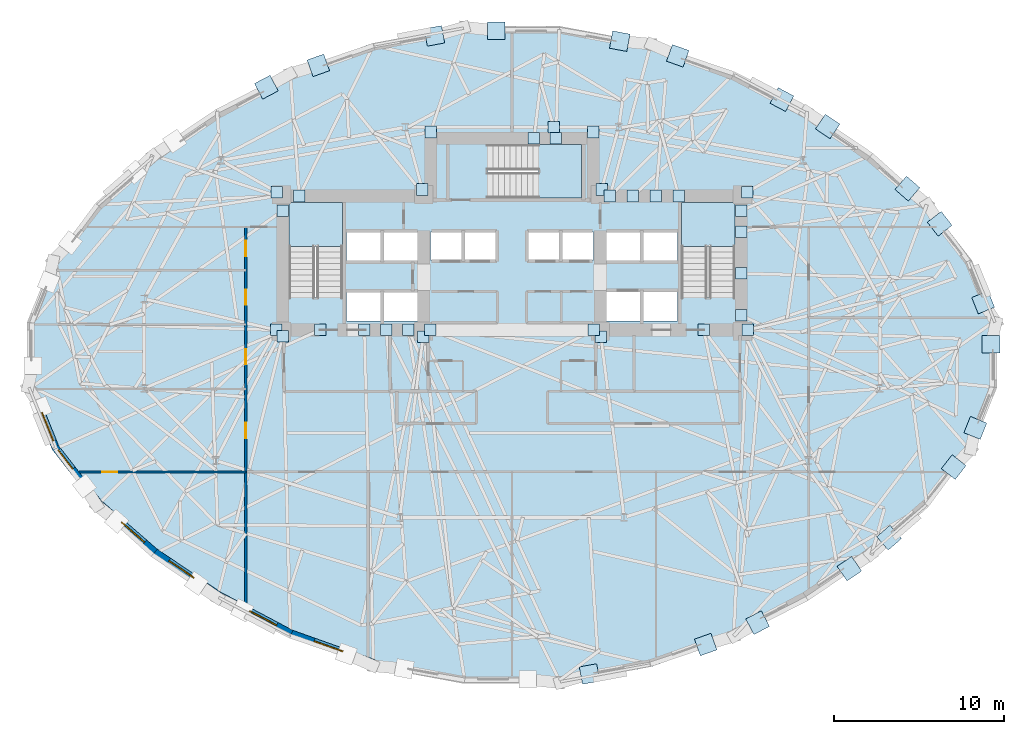
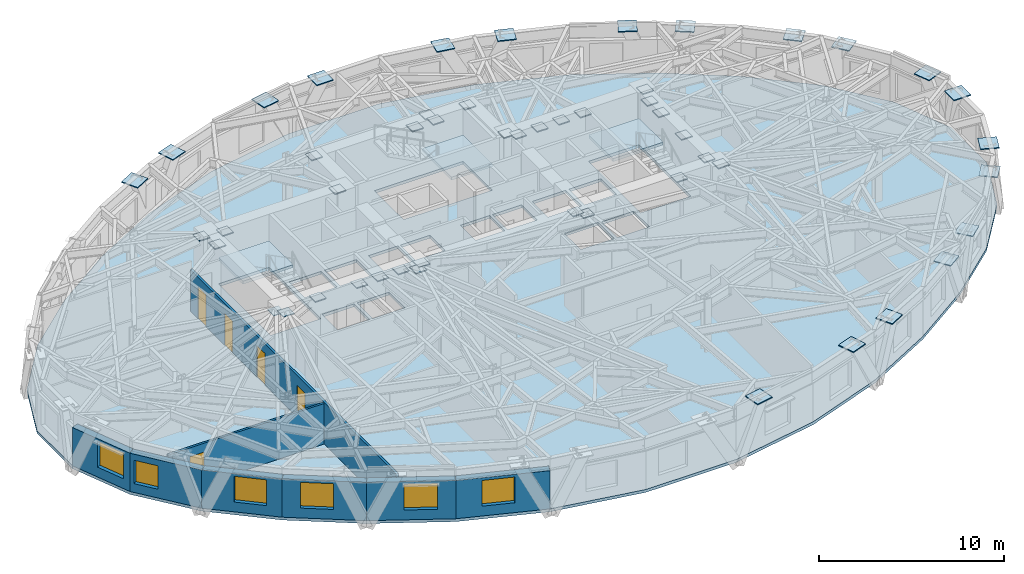
# One storey, part 6 of 15: 50 plates, 8 walls, 6 windows, 5 doors, 4 slabs, 11 openings, 3 elements without a shape of their own.
"""IFC4 building model written with IfcOpenShell, lengths in metres."""

from ifc_helpers import new_model, si_unit, direction, frame, frame_2d, origin, origin_2d, place, context, subcontext, project, spatial, polyline, rectangle, outline, extrude, material, layer, layer_set, type_object, element, fill, aggregate, save


model = new_model("IFC4")

# Units and contexts
model_context = context("Model", 3, precision=1e-05, world=origin(), true_north=direction((0.0, 1.0)))
body_context = subcontext(model_context, "Body", "Model", "MODEL_VIEW")
ifc_project = project(units=[si_unit("LENGTHUNIT", "METRE"), si_unit("AREAUNIT", "SQUARE_METRE"), si_unit("VOLUMEUNIT", "CUBIC_METRE"), si_unit("PLANEANGLEUNIT", "RADIAN"), si_unit("MASSUNIT", "GRAM", prefix="KILO")], contexts=[model_context])

# Site, building, storey
site_placement = place(None, origin())
site = spatial("IfcSite", under=ifc_project, at=site_placement, CompositionType="ELEMENT")
building_placement = place(site_placement, origin())
building = spatial("IfcBuilding", under=site, at=building_placement, Name="Keldmark Tower", CompositionType="ELEMENT")
storey_placement = place(building_placement, frame((0.0, 0.0, 93.10009765625)))
storey = spatial("IfcBuildingStorey", under=building, at=storey_placement, Name="L24", CompositionType="ELEMENT", Elevation=93.10009765625)

# Plates
ifc_material_1 = material(Name="Steel ASTM A572 Grade 50", Category="steel")
ifc_layer_1 = layer(ifc_material_1, 0.06005859375)
ifc_layer_set_1 = layer_set([ifc_layer_1], Name="Steel ASTM A572 Grade 50")
plate_type_1 = type_object("IfcPlateType", Name="Belt Truss Kink Node Assembly KN01 60 mm", PredefinedType="USERDEFINED", material=ifc_layer_set_1)
for number, where, z_axis, x_axis, name in (
    (1, (13.91162109375, 1.473388671875, 3.0078125), (0.0, 0.0, 1.0), (1.0, 0.0, 0.0), "L24 Core Wall Cast-In Embed Plate 653"),
    (2, (13.878173828125, 9.608154296875, 3.0078125), (0.0, 0.0, 1.0), (1.0, 0.0, 0.0), "L24 Core Wall Cast-In Embed Plate 654"),
    (3, (5.28515625, 9.758544921875, 3.0078125), (0.0, 0.0, 1.0), (1.0, 0.0, 0.0), "L24 Core Wall Cast-In Embed Plate 655"),
    (4, (-5.28515625, 9.758544921875, 3.0078125), (0.0, 0.0, 1.0), (1.0, 0.0, 0.0), "L24 Core Wall Cast-In Embed Plate 656"),
    (5, (-13.878173828125, 9.608154296875, 3.0078125), (0.0, 0.0, 1.0), (1.0, 0.0, 0.0), "L24 Core Wall Cast-In Embed Plate 657"),
    (6, (-13.91162109375, 1.473388671875, 3.0078125), (0.0, 0.0, 1.0), (1.0, 0.0, 0.0), "L24 Core Wall Cast-In Embed Plate 658"),
    (7, (-5.24072265625, 1.08251953125, 3.0078125), (0.0, 0.0, 1.0), (1.0, 0.0, 0.0), "L24 Core Wall Cast-In Embed Plate 659"),
    (8, (5.24072265625, 1.08251953125, 3.0078125), (0.0, 0.0, 1.0), (1.0, 0.0, 0.0), "L24 Core Wall Cast-In Embed Plate 660"),
    (9, (4.800048828125, 13.14990234375, 3.01416015625), (0.0, 0.0, 1.0), (1.0, 0.0, 0.0), "L24 Core Wall Cast-In Embed Plate 661"),
    (10, (-4.800048828125, 13.14990234375, 3.01416015625), (0.0, 0.0, 1.0), (1.0, 0.0, 0.0), "L24 Core Wall Cast-In Embed Plate 662"),
    (11, (-7.41796875, 1.47509765625, 3.01416015625), (0.0, 0.0, 1.0), (1.0, 0.0, 0.0), "L24 Core Wall Cast-In Embed Plate 663"),
    (12, (11.30712890625, 1.47509765625, 3.01416015625), (0.0, 0.0, 1.0), (1.0, 0.0, 0.0), "L24 Core Wall Cast-In Embed Plate 664"),
    (13, (13.52490234375, 4.80712890625, 3.01416015625), (0.0, 0.0, 1.0), (1.0, 0.0, 0.0), "L24 Core Wall Cast-In Embed Plate 665"),
    (14, (13.52490234375, 7.278564453125, 3.01416015625), (0.0, 0.0, 1.0), (1.0, 0.0, 0.0), "L24 Core Wall Cast-In Embed Plate 666"),
    (15, (13.52490234375, 8.514404296875, 3.01416015625), (0.0, 0.0, 1.0), (1.0, 0.0, 0.0), "L24 Core Wall Cast-In Embed Plate 667"),
    (16, (7.132080078125, 9.375, 3.01416015625), (0.0, 0.0, 1.0), (1.0, 0.0, 0.0), "L24 Core Wall Cast-In Embed Plate 668"),
    (17, (-12.54638671875, 9.375, 3.01416015625), (0.0, 0.0, 1.0), (1.0, 0.0, 0.0), "L24 Core Wall Cast-In Embed Plate 669"),
    (18, (-13.52490234375, 8.514404296875, 3.01416015625), (0.0, 0.0, 1.0), (1.0, 0.0, 0.0), "L24 Core Wall Cast-In Embed Plate 670"),
    (19, (-11.30712890625, 1.47509765625, 3.01416015625), (0.0, 0.0, 1.0), (1.0, 0.0, 0.0), "L24 Core Wall Cast-In Embed Plate 671"),
    (20, (4.824951171875, 1.47509765625, 3.01416015625), (0.0, 0.0, 1.0), (1.0, 0.0, 0.0), "L24 Core Wall Cast-In Embed Plate 672"),
    (21, (-13.52490234375, 1.10009765625, 3.01416015625), (0.0, 0.0, 1.0), (1.0, 0.0, 0.0), "L24 Core Wall Cast-In Embed Plate 673"),
    (22, (-8.71435546875, 1.47509765625, 3.01416015625), (0.0, 0.0, 1.0), (1.0, 0.0, 0.0), "L24 Core Wall Cast-In Embed Plate 674"),
    (23, (-6.121337890625, 1.47509765625, 3.01416015625), (0.0, 0.0, 1.0), (1.0, 0.0, 0.0), "L24 Core Wall Cast-In Embed Plate 675"),
    (24, (-4.824951171875, 1.47509765625, 3.01416015625), (0.0, 0.0, 1.0), (1.0, 0.0, 0.0), "L24 Core Wall Cast-In Embed Plate 676"),
    (25, (13.52490234375, 2.335693359375, 3.01416015625), (0.0, 0.0, 1.0), (1.0, 0.0, 0.0), "L24 Core Wall Cast-In Embed Plate 677"),
    (26, (5.778564453125, 9.375, 3.01416015625), (0.0, 0.0, 1.0), (1.0, 0.0, 0.0), "L24 Core Wall Cast-In Embed Plate 678"),
    (27, (9.83935546875, 9.375, 3.01416015625), (0.0, 0.0, 1.0), (1.0, 0.0, 0.0), "L24 Core Wall Cast-In Embed Plate 679"),
    (28, (8.485595703125, 9.375, 3.01416015625), (0.0, 0.0, 1.0), (1.0, 0.0, 0.0), "L24 Core Wall Cast-In Embed Plate 680"),
    (29, (2.46337890625, 13.4326171875, 3.01416015625), (0.0, 0.0, 1.0), (1.0, 0.0, 0.0), "L24 Core Wall Cast-In Embed Plate 681"),
    (30, (1.293701171875, 12.77490234375, 3.01416015625), (0.0, 0.0, 1.0), (1.0, 0.0, 0.0), "L24 Core Wall Cast-In Embed Plate 682"),
    (31, (2.58740234375, 12.77490234375, 3.01416015625), (0.0, 0.0, 1.0), (1.0, 0.0, 0.0), "L24 Core Wall Cast-In Embed Plate 683"),
):
    element("IfcPlate", number, at=place(storey_placement, frame(where, z_axis=z_axis, x_axis=x_axis)), inside=storey, type_object=plate_type_1, Name=name, ObjectType="CAP PLATE", PredefinedType="USERDEFINED", context=body_context, shape_type="SweptSolid", body=[
        extrude(rectangle(XDim=0.679931640625, YDim=0.679931640625, at=origin_2d()), origin(), (0.0, 0.0, 1.0), 0.054931640625),
    ])
ifc_material_2 = material(Name="Steel ASTM A572 Grade 50", Category="steel")
ifc_layer_2 = layer(ifc_material_2, 0.06494140625)
ifc_layer_set_2 = layer_set([ifc_layer_2], Name="Steel ASTM A572 Grade 50")
plate_type_2 = type_object("IfcPlateType", Name="Diagrid Node Assembly DN02 65 mm", PredefinedType="USERDEFINED", material=ifc_layer_set_2)
for number, where, z_axis, x_axis, name in (
    (32, (27.790771484375, 3.099853515625, 3.157470703125), (0.0, 0.0, 1.0), (-0.374930218808, 0.927053035713, 0.0), "L24 Diagrid Node Assembly 01"),
    (33, (25.227294921875, 7.7373046875, 3.157470703125), (0.0, 0.0, 1.0), (-0.613734165832, 0.789512744476, 0.0), "L24 Diagrid Node Assembly 02"),
    (34, (23.323486328125, 9.8125, 3.157470703125), (0.0, 0.0, 1.0), (-0.754938542041, 0.655795545685, 0.0), "L24 Diagrid Node Assembly 03"),
    (35, (18.62060546875, 13.474609375, 3.157470703125), (0.0, 0.0, 1.0), (-0.827766671236, 0.56107248907, 0.0), "L24 Diagrid Node Assembly 04"),
    (36, (15.92041015625, 15.0625, 3.157470703125), (0.0, 0.0, 1.0), (-0.883928914562, 0.467621293358, 0.0), "L24 Diagrid Node Assembly 05"),
    (37, (9.775634765625, 17.64306640625, 3.157470703125), (0.0, 0.0, 1.0), (-0.941705652248, 0.336437905896, 0.0), "L24 Diagrid Node Assembly 06"),
    (38, (6.357421875, 18.508056640625, 3.157470703125), (0.0, 0.0, 1.0), (-0.983159354488, 0.182750331554, 0.0), "L24 Diagrid Node Assembly 07"),
    (39, (-0.935302734375, 19.13232421875, 3.157470703125), (0.0, 0.0, 1.0), (-1.0, 0.0, 0.0), "L24 Diagrid Node Assembly 08"),
    (40, (-4.57568359375, 18.819091796875, 3.157470703125), (0.0, 0.0, 1.0), (-0.983159354488, -0.182750331554, 0.0), "L24 Diagrid Node Assembly 09"),
    (41, (-11.422607421875, 17.08203125, 3.157470703125), (0.0, 0.0, 1.0), (-0.941705652248, -0.336437905896, 0.0), "L24 Diagrid Node Assembly 10"),
    (42, (-14.489013671875, 15.793212890625, 3.157470703125), (0.0, 0.0, 1.0), (-0.883928914562, -0.467621293358, 0.0), "L24 Diagrid Node Assembly 11"),
    (43, (4.57568359375, -18.819091796875, 3.157470703125), (0.0, 0.0, 1.0), (0.983159354488, 0.182750331554, 0.0), "L24 Diagrid Node Assembly 25"),
    (44, (11.422607421875, -17.08203125, 3.157470703125), (0.0, 0.0, 1.0), (0.941705652248, 0.336437905896, 0.0), "L24 Diagrid Node Assembly 26"),
    (45, (14.489013671875, -15.793212890625, 3.157470703125), (0.0, 0.0, 1.0), (0.883928914562, 0.467621293358, 0.0), "L24 Diagrid Node Assembly 27"),
    (46, (19.896240234375, -12.607421875, 3.157470703125), (0.0, 0.0, 1.0), (0.827766671236, 0.56107248907, 0.0), "L24 Diagrid Node Assembly 28"),
    (47, (22.24267578125, -10.779541015625, 3.157470703125), (0.0, 0.0, 1.0), (0.754938542041, 0.655795545685, 0.0), "L24 Diagrid Node Assembly 29"),
    (48, (26.052490234375, -6.617431640625, 3.157470703125), (0.0, 0.0, 1.0), (0.613734165832, 0.789512744476, 0.0), "L24 Diagrid Node Assembly 30"),
    (49, (27.330810546875, -4.3037109375, 3.157470703125), (0.0, 0.0, 1.0), (0.374930218808, 0.927053035713, 0.0), "L24 Diagrid Node Assembly 31"),
    (50, (28.2529296875, 0.635986328125, 3.157470703125), (0.0, 0.0, 1.0), (0.0, 1.0, 0.0), "L24 Diagrid Node Assembly 32"),
):
    element("IfcPlate", number, at=place(storey_placement, frame(where, z_axis=z_axis, x_axis=x_axis)), inside=storey, type_object=plate_type_2, Name=name, ObjectType="GUSSET", PredefinedType="USERDEFINED", context=body_context, shape_type="SweptSolid", body=[
        extrude(rectangle(XDim=1.0400390625, YDim=1.0400390625, at=origin_2d()), origin(), (0.0, 0.0, 1.0), 0.06494140625),
    ])

# Slab
ifc_material_3 = material(Name="Concrete C35/45", Category="concrete")
ifc_layer_3 = layer(ifc_material_3, 0.18994140625)
ifc_layer_set_3 = layer_set([ifc_layer_3], Name="Concrete C35/45")
slab_type_1 = type_object("IfcSlabType", Name="Mid-Rise Office Composite Slab 190 mm", PredefinedType="FLOOR", material=ifc_layer_set_3)
slab_1_placement = place(storey_placement, frame((0.0, 0.0, -0.190185546875)))
element("IfcSlab", 51, at=slab_1_placement, inside=storey, type_object=slab_type_1, Name="L24 Composite Structural Floor Slab", PredefinedType="FLOOR", context=body_context, shape_type="SweptSolid", body=[
    extrude(outline(polyline([(28.611083984375, 1.91015625), (27.127685546875, 5.578125), (24.54931640625, 8.894775390625), (21.20751953125, 11.797607421875), (17.404541015625, 14.37548828125), (13.121826171875, 16.640625), (8.22900390625, 18.388427734375), (2.81787109375, 19.393798828125), (-2.81787109375, 19.393798828125), (-8.22900390625, 18.388427734375), (-13.121826171875, 16.640625), (-17.404541015625, 14.37548828125), (-21.20751953125, 11.797607421875), (-24.54931640625, 8.894775390625), (-27.127685546875, 5.578125), (-28.611083984375, 1.91015625), (-28.611083984375, -1.91015625), (-27.127685546875, -5.578125), (-24.54931640625, -8.894775390625), (-21.20751953125, -11.797607421875), (-17.404541015625, -14.37548828125), (-13.121826171875, -16.640625), (-8.22900390625, -18.388427734375), (-2.81787109375, -19.393798828125), (2.81787109375, -19.393798828125), (8.22900390625, -18.388427734375), (13.121826171875, -16.640625), (17.404541015625, -14.37548828125), (21.20751953125, -11.797607421875), (24.54931640625, -8.894775390625), (27.127685546875, -5.578125), (28.611083984375, -1.91015625), (28.611083984375, 1.91015625)]), holes=[polyline([(-10.0, 3.385009765625), (-10.0, 9.0), (-13.14990234375, 9.0), (-13.14990234375, 3.385009765625), (-10.0, 3.385009765625)]), polyline([(13.14990234375, 3.385009765625), (13.14990234375, 9.0), (10.0, 9.0), (10.0, 3.385009765625), (13.14990234375, 3.385009765625)]), polyline([(-1.43994140625, 9.25), (4.10498046875, 9.25), (4.10498046875, 12.39990234375), (-1.43994140625, 12.39990234375), (-1.43994140625, 9.25)]), polyline([(-9.75, 2.0), (-7.75, 2.0), (-7.75, 3.699951171875), (-9.75, 3.699951171875), (-9.75, 2.0)]), polyline([(7.75, 2.0), (9.75, 2.0), (9.75, 3.699951171875), (7.75, 3.699951171875), (7.75, 2.0)]), polyline([(5.449951171875, 2.0), (7.550048828125, 2.0), (7.550048828125, 3.75), (5.449951171875, 3.75), (5.449951171875, 2.0)]), polyline([(-4.800048828125, 5.60009765625), (-2.949951171875, 5.60009765625), (-2.949951171875, 7.25), (-4.800048828125, 7.25), (-4.800048828125, 5.60009765625)]), polyline([(-2.800048828125, 5.60009765625), (-0.949951171875, 5.60009765625), (-0.949951171875, 7.25), (-2.800048828125, 7.25), (-2.800048828125, 5.60009765625)]), polyline([(0.949951171875, 5.60009765625), (2.800048828125, 5.60009765625), (2.800048828125, 7.25), (0.949951171875, 7.25), (0.949951171875, 5.60009765625)]), polyline([(2.949951171875, 5.60009765625), (4.800048828125, 5.60009765625), (4.800048828125, 7.25), (2.949951171875, 7.25), (2.949951171875, 5.60009765625)]), polyline([(-9.75, 5.550048828125), (-7.75, 5.550048828125), (-7.75, 7.25), (-9.75, 7.25), (-9.75, 5.550048828125)]), polyline([(-7.550048828125, 5.550048828125), (-5.550048828125, 5.550048828125), (-5.550048828125, 7.25), (-7.550048828125, 7.25), (-7.550048828125, 5.550048828125)]), polyline([(-7.550048828125, 2.0), (-5.550048828125, 2.0), (-5.550048828125, 3.699951171875), (-7.550048828125, 3.699951171875), (-7.550048828125, 2.0)]), polyline([(5.449951171875, 5.550048828125), (7.550048828125, 5.550048828125), (7.550048828125, 7.25), (5.449951171875, 7.25), (5.449951171875, 5.550048828125)]), polyline([(7.75, 5.550048828125), (9.75, 5.550048828125), (9.75, 7.25), (7.75, 7.25), (7.75, 5.550048828125)])]), origin(), (0.0, 0.0, 1.0), 0.190185546875),
])

# Stair, slab
ifc_material_4 = material(Name="Concrete C40/50", Category="concrete")
stair_type = type_object("IfcStairType", Name="Precast Concrete Core Exit Stair", PredefinedType="HALF_TURN_STAIR", material=ifc_material_4)
stair_1_placement = place(storey_placement, origin())
stair_1 = element("IfcStair", 52, at=stair_1_placement, inside=storey, type_object=stair_type, Name="L24 Exit Stair ST1", PredefinedType="HALF_TURN_STAIR")
ifc_material_5 = material(Name="Concrete C40/50", Category="concrete")
ifc_layer_4 = layer(ifc_material_5, 0.199951171875)
ifc_layer_set_4 = layer_set([ifc_layer_4], Name="Concrete C40/50")
slab_type_2 = type_object("IfcSlabType", Name="Reinforced Concrete Stair Landing 200 mm", PredefinedType="LANDING", material=ifc_layer_set_4)
slab_2_placement = place(storey_placement, frame((0.0, 0.0, 1.5498046875)))
slab_2 = element("IfcSlab", 53, at=slab_2_placement, type_object=slab_type_2, Name="ST1 landing 1", PredefinedType="LANDING", context=body_context, shape_type="SweptSolid", body=[
    extrude(outline(polyline([(-10.0, 6.389892578125), (-10.0, 9.0), (-13.14990234375, 9.0), (-13.14990234375, 6.389892578125), (-10.0, 6.389892578125)])), origin(), (0.0, 0.0, 1.0), 0.2001953125),
])
aggregate(stair_1, [slab_2])

stair_2_placement = place(storey_placement, origin())
stair_2 = element("IfcStair", 54, at=stair_2_placement, inside=storey, type_object=stair_type, Name="L24 Exit Stair ST2", PredefinedType="HALF_TURN_STAIR")
slab_3_placement = place(storey_placement, frame((0.0, 0.0, 1.5498046875)))
slab_3 = element("IfcSlab", 55, at=slab_3_placement, type_object=slab_type_2, Name="ST2 landing 1", PredefinedType="LANDING", context=body_context, shape_type="SweptSolid", body=[
    extrude(outline(polyline([(13.14990234375, 6.389892578125), (13.14990234375, 9.0), (10.0, 9.0), (10.0, 6.389892578125), (13.14990234375, 6.389892578125)])), origin(), (0.0, 0.0, 1.0), 0.2001953125),
])
aggregate(stair_2, [slab_3])

stair_3_placement = place(storey_placement, origin())
stair_3 = element("IfcStair", 56, at=stair_3_placement, inside=storey, type_object=stair_type, Name="L24 Exit Stair ST3", PredefinedType="HALF_TURN_STAIR")
slab_4_placement = place(storey_placement, frame((0.0, 0.0, 1.5498046875)))
slab_4 = element("IfcSlab", 57, at=slab_4_placement, type_object=slab_type_2, Name="ST3 landing 1", PredefinedType="LANDING", context=body_context, shape_type="SweptSolid", body=[
    extrude(outline(polyline([(1.56494140625, 9.25), (4.10498046875, 9.25), (4.10498046875, 12.39990234375), (1.56494140625, 12.39990234375), (1.56494140625, 9.25)])), origin(), (0.0, 0.0, 1.0), 0.2001953125),
])
aggregate(stair_3, [slab_4])

# Wall, openings, doors
ifc_material_6 = material(Name="Acoustic Double-Layer Gypsum Corridor Partition", Category="gypsum")
ifc_layer_5 = layer(ifc_material_6, 0.139892578125)
ifc_layer_set_5 = layer_set([ifc_layer_5], Name="Acoustic Double-Layer Gypsum Corridor Partition")
wall_type_1 = type_object("IfcWallType", Name="Acoustic Corridor Partition 140 mm", PredefinedType="PARTITIONING", material=ifc_layer_set_5)
wall_1_placement = place(storey_placement, frame((-15.699951171875, -14.770263671875, 0.0), z_axis=(0.0, 0.0, 1.0), x_axis=(0.0, 1.0, 0.0)))
wall_1 = element("IfcWall", 58, at=wall_1_placement, inside=storey, type_object=wall_type_1, Name="L24 Acoustic Corridor Partition 140 mm COR-W", PredefinedType="PARTITIONING", context=body_context, shape_type="SweptSolid", body=[
    extrude(rectangle(XDim=22.3203125, YDim=0.139892578125, at=frame_2d((11.16015625, 0.0))), origin(), (0.0, 0.0, 1.0), 2.7509765625),
])
opening_1_placement = place(wall_1_placement, frame((9.8701171875, 0.0, 0.0)))
opening_1 = element("IfcOpeningElement", 59, at=opening_1_placement, cuts=wall_1, Name="Opening D-IN090", PredefinedType="OPENING", context=body_context, shape_type="SweptSolid", body=[
    extrude(rectangle(XDim=0.89990234375, YDim=2.10009765625, at=frame_2d((0.449951171875, 1.050048828125))), frame((0.0, 0.079833984375, 0.0), z_axis=(0.0, -1.0, 0.0), x_axis=(1.0, 0.0, 0.0)), (0.0, 0.0, 1.0), 0.159912109375),
])
opening_2_placement = place(wall_1_placement, frame((14.22021484375, 0.0, 0.0)))
opening_2 = element("IfcOpeningElement", 60, at=opening_2_placement, cuts=wall_1, Name="Opening D-IN090", PredefinedType="OPENING", context=body_context, shape_type="SweptSolid", body=[
    extrude(rectangle(XDim=0.89990234375, YDim=2.10009765625, at=frame_2d((0.449951171875, 1.050048828125))), frame((0.0, 0.079833984375, 0.0), z_axis=(0.0, -1.0, 0.0), x_axis=(1.0, 0.0, 0.0)), (0.0, 0.0, 1.0), 0.159912109375),
])
opening_3_placement = place(wall_1_placement, frame((17.72021484375, 0.0, 0.0)))
opening_3 = element("IfcOpeningElement", 61, at=opening_3_placement, cuts=wall_1, Name="Opening D-IN090", PredefinedType="OPENING", context=body_context, shape_type="SweptSolid", body=[
    extrude(rectangle(XDim=0.89990234375, YDim=2.10009765625, at=frame_2d((0.449951171875, 1.050048828125))), frame((0.0, 0.079833984375, 0.0), z_axis=(0.0, -1.0, 0.0), x_axis=(1.0, 0.0, 0.0)), (0.0, 0.0, 1.0), 0.159912109375),
])
opening_4_placement = place(wall_1_placement, frame((20.59521484375, 0.0, 0.0)))
opening_4 = element("IfcOpeningElement", 62, at=opening_4_placement, cuts=wall_1, Name="Opening D-IN090", PredefinedType="OPENING", context=body_context, shape_type="SweptSolid", body=[
    extrude(rectangle(XDim=0.89990234375, YDim=2.10009765625, at=frame_2d((0.449951171875, 1.050048828125))), frame((0.0, 0.079833984375, 0.0), z_axis=(0.0, -1.0, 0.0), x_axis=(1.0, 0.0, 0.0)), (0.0, 0.0, 1.0), 0.159912109375),
])
ifc_material_7 = material(Name="Stained American White Oak Veneer", Category="wood")
door_type = type_object("IfcDoorType", Name="Interior Door 900x2100", OperationType="NOTDEFINED", PredefinedType="DOOR", material=ifc_material_7)
door_1_placement = place(opening_1_placement, origin())
door_1 = element("IfcDoor", 63, at=door_1_placement, inside=storey, type_object=door_type, Name="L24 Interior Door 900x2100 D-WR-1-L24", OperationType="SINGLE_SWING_RIGHT", OverallHeight=2.10009765625, OverallWidth=0.89990234375, PredefinedType="DOOR", context=body_context, shape_type="SweptSolid", body=[
    extrude(rectangle(XDim=0.89990234375, YDim=2.10009765625, at=frame_2d((0.449951171875, 1.050048828125))), frame((0.0, 0.02490234375, 0.0), z_axis=(0.0, -1.0, 0.0), x_axis=(1.0, 0.0, 0.0)), (0.0, 0.0, 1.0), 0.050048828125),
])
fill(opening_1, door_1)
door_2_placement = place(opening_2_placement, origin())
door_2 = element("IfcDoor", 64, at=door_2_placement, inside=storey, type_object=door_type, Name="L24 Interior Door 900x2100 D-WR-2-L24", OperationType="SINGLE_SWING_RIGHT", OverallHeight=2.10009765625, OverallWidth=0.89990234375, PredefinedType="DOOR", context=body_context, shape_type="SweptSolid", body=[
    extrude(rectangle(XDim=0.89990234375, YDim=2.10009765625, at=frame_2d((0.449951171875, 1.050048828125))), frame((0.0, 0.02490234375, 0.0), z_axis=(0.0, -1.0, 0.0), x_axis=(1.0, 0.0, 0.0)), (0.0, 0.0, 1.0), 0.050048828125),
])
fill(opening_2, door_2)
door_3_placement = place(opening_3_placement, origin())
door_3 = element("IfcDoor", 65, at=door_3_placement, inside=storey, type_object=door_type, Name="L24 Interior Door 900x2100 D-WR-3-L24", OperationType="SINGLE_SWING_LEFT", OverallHeight=2.10009765625, OverallWidth=0.89990234375, PredefinedType="DOOR", context=body_context, shape_type="SweptSolid", body=[
    extrude(rectangle(XDim=0.89990234375, YDim=2.10009765625, at=frame_2d((0.449951171875, 1.050048828125))), frame((0.0, 0.02490234375, 0.0), z_axis=(0.0, -1.0, 0.0), x_axis=(1.0, 0.0, 0.0)), (0.0, 0.0, 1.0), 0.050048828125),
])
fill(opening_3, door_3)
door_4_placement = place(opening_4_placement, origin())
door_4 = element("IfcDoor", 66, at=door_4_placement, inside=storey, type_object=door_type, Name="L24 Interior Door 900x2100 D-WR-4-L24", OperationType="SINGLE_SWING_RIGHT", OverallHeight=2.10009765625, OverallWidth=0.89990234375, PredefinedType="DOOR", context=body_context, shape_type="SweptSolid", body=[
    extrude(rectangle(XDim=0.89990234375, YDim=2.10009765625, at=frame_2d((0.449951171875, 1.050048828125))), frame((0.0, 0.02490234375, 0.0), z_axis=(0.0, -1.0, 0.0), x_axis=(1.0, 0.0, 0.0)), (0.0, 0.0, 1.0), 0.050048828125),
])
fill(opening_4, door_4)

# Wall, opening, door
ifc_material_8 = material(Name="Acoustic Gypsum Board Interior Partition", Category="gypsum")
ifc_layer_6 = layer(ifc_material_8, 0.1298828125)
ifc_layer_set_6 = layer_set([ifc_layer_6], Name="Acoustic Gypsum Board Interior Partition")
wall_type_2 = type_object("IfcWallType", Name="Interior Partition 130 mm", PredefinedType="PARTITIONING", material=ifc_layer_set_6)
wall_2_placement = place(storey_placement, frame((-25.53271484375, -6.89990234375, 0.0), z_axis=(0.0, 0.0, 1.0), x_axis=(1.0, 0.0, 0.0)))
wall_2 = element("IfcWall", 67, at=wall_2_placement, inside=storey, type_object=wall_type_2, Name="L24 Interior Partition 130 mm W-CAP-S", PredefinedType="PARTITIONING", context=body_context, shape_type="SweptSolid", body=[
    extrude(rectangle(XDim=9.832763671875, YDim=0.1298828125, at=frame_2d((4.91650390625, 0.0))), origin(), (0.0, 0.0, 1.0), 2.68798828125),
])
opening_5_placement = place(wall_2_placement, frame((1.35009765625, 0.0, 0.0)))
opening_5 = element("IfcOpeningElement", 68, at=opening_5_placement, cuts=wall_2, Name="Opening D-IN090", PredefinedType="OPENING", context=body_context, shape_type="SweptSolid", body=[
    extrude(rectangle(XDim=0.89990234375, YDim=2.10009765625, at=frame_2d((0.449951171875, 1.050048828125))), frame((0.0, 0.074951171875, 0.0), z_axis=(0.0, -1.0, 0.0), x_axis=(1.0, 0.0, 0.0)), (0.0, 0.0, 1.0), 0.14990234375),
])
door_5_placement = place(opening_5_placement, origin())
door_5 = element("IfcDoor", 69, at=door_5_placement, inside=storey, type_object=door_type, Name="L24 Interior Door 900x2100 D-WRSW-L24", OperationType="SINGLE_SWING_LEFT", OverallHeight=2.10009765625, OverallWidth=0.89990234375, PredefinedType="DOOR", context=body_context, shape_type="SweptSolid", body=[
    extrude(rectangle(XDim=0.89990234375, YDim=2.10009765625, at=frame_2d((0.449951171875, 1.050048828125))), frame((0.0, 0.02490234375, 0.0), z_axis=(0.0, -1.0, 0.0), x_axis=(1.0, 0.0, 0.0)), (0.0, 0.0, 1.0), 0.050048828125),
])
fill(opening_5, door_5)

# Wall, opening, window
ifc_material_9 = material(Name="Ironspot Manganese Brick and Kasota Buff Limestone Spandrel Assembly", Category="masonry")
ifc_layer_7 = layer(ifc_material_9, 0.43994140625)
ifc_layer_set_7 = layer_set([ifc_layer_7], Name="Ironspot Manganese Brick and Kasota Buff Limestone Spandrel Assembly")
wall_type_3 = type_object("IfcWallType", Name="Tower Brick Pier and Spandrel Wall 440 mm", PredefinedType="STANDARD", material=ifc_layer_set_7)
wall_3_placement = place(storey_placement, frame((-26.923583984375, -5.49560546875, 0.0), z_axis=(0.0, 0.0, 1.0), x_axis=(-0.374920072969, 0.927057138954, 0.0)))
wall_3 = element("IfcWall", 70, at=wall_3_placement, inside=storey, type_object=wall_type_3, Name="L24 Exterior Brick and Spandrel Wall 17", PredefinedType="STANDARD", context=body_context, shape_type="SweptSolid", body=[
    extrude(rectangle(XDim=3.95654296875, YDim=0.43994140625, at=frame_2d((1.978271484375, 0.0))), origin(), (0.0, 0.0, 1.0), 2.52783203125),
])
opening_6_placement = place(wall_3_placement, frame((0.444091796875, 0.0, 0.64990234375)))
opening_6 = element("IfcOpeningElement", 71, at=opening_6_placement, cuts=wall_3, Name="Opening W-02", PredefinedType="OPENING", context=body_context, shape_type="SweptSolid", body=[
    extrude(rectangle(XDim=1.800048828125, YDim=1.699951171875, at=frame_2d((0.89990234375, 0.85009765625))), frame((0.0, 0.22998046875, 0.0), z_axis=(0.0, -1.0, 0.0), x_axis=(1.0, 0.0, 0.0)), (0.0, 0.0, 1.0), 0.4599609375),
])
ifc_material_10 = material(Name="Thermally Broken Anodized Aluminum and Triple Low-E Argon Glazing", Category="aluminium")
window_type_1 = type_object("IfcWindowType", Name="Office Deep-Set Triple Window 1800x1700", PartitioningType="TRIPLE_PANEL_VERTICAL", PredefinedType="WINDOW", material=ifc_material_10)
window_1_placement = place(opening_6_placement, origin())
window_1 = element("IfcWindow", 72, at=window_1_placement, inside=storey, type_object=window_type_1, Name="L24 Deep-Set Window 17", OverallHeight=1.699951171875, OverallWidth=1.800048828125, PartitioningType="SINGLE_PANEL", PredefinedType="WINDOW", context=body_context, shape_type="SweptSolid", body=[
    extrude(rectangle(XDim=1.800048828125, YDim=1.699951171875, at=frame_2d((0.89990234375, 0.85009765625))), frame((0.0, -0.010009765625, 0.0), z_axis=(0.0, -1.0, 0.0), x_axis=(1.0, 0.0, 0.0)), (0.0, 0.0, 1.0), 0.06005859375),
])
fill(opening_6, window_1)

wall_4_placement = place(storey_placement, frame((-24.375732421875, -8.759765625, 0.0), z_axis=(0.0, 0.0, 1.0), x_axis=(-0.61375552181, 0.789496142769, 0.0)))
wall_4 = element("IfcWall", 73, at=wall_4_placement, inside=storey, type_object=wall_type_3, Name="L24 Exterior Brick and Spandrel Wall 18", PredefinedType="STANDARD", context=body_context, shape_type="SweptSolid", body=[
    extrude(rectangle(XDim=4.200927734375, YDim=0.43994140625, at=frame_2d((2.1005859375, 0.0))), origin(), (0.0, 0.0, 1.0), 2.52783203125),
])
opening_7_placement = place(wall_4_placement, frame((2.552001953125, 0.0, 0.580078125)))
opening_7 = element("IfcOpeningElement", 74, at=opening_7_placement, cuts=wall_4, Name="Opening W-08", PredefinedType="OPENING", context=body_context, shape_type="SweptSolid", body=[
    extrude(rectangle(XDim=1.39990234375, YDim=1.550048828125, at=frame_2d((0.699951171875, 0.77490234375))), frame((0.0, 0.22998046875, 0.0), z_axis=(0.0, -1.0, 0.0), x_axis=(1.0, 0.0, 0.0)), (0.0, 0.0, 1.0), 0.4599609375),
])
ifc_material_11 = material(Name="Thermally Broken Anodized Aluminum and Triple Low-E Argon Glazing", Category="aluminium")
window_type_2 = type_object("IfcWindowType", Name="Residential Corner Punched Window 1400x1550", PartitioningType="SINGLE_PANEL", PredefinedType="WINDOW", material=ifc_material_11)
window_2_placement = place(opening_7_placement, origin())
window_2 = element("IfcWindow", 75, at=window_2_placement, inside=storey, type_object=window_type_2, Name="L24 Deep-Set Window 18", OverallHeight=1.550048828125, OverallWidth=1.39990234375, PartitioningType="SINGLE_PANEL", PredefinedType="WINDOW", context=body_context, shape_type="SweptSolid", body=[
    extrude(rectangle(XDim=1.39990234375, YDim=1.550048828125, at=frame_2d((0.699951171875, 0.77490234375))), frame((0.0, -0.010009765625, 0.0), z_axis=(0.0, -1.0, 0.0), x_axis=(1.0, 0.0, 0.0)), (0.0, 0.0, 1.0), 0.06005859375),
])
fill(opening_7, window_2)

wall_5_placement = place(storey_placement, frame((-21.063232421875, -11.631591796875, 0.0), z_axis=(0.0, 0.0, 1.0), x_axis=(-0.754922454992, 0.655814064312, 0.0)))
wall_5 = element("IfcWall", 76, at=wall_5_placement, inside=storey, type_object=wall_type_3, Name="L24 Exterior Brick and Spandrel Wall 19", PredefinedType="STANDARD", context=body_context, shape_type="SweptSolid", body=[
    extrude(rectangle(XDim=4.4267578125, YDim=0.43994140625, at=frame_2d((2.21337890625, 0.0))), origin(), (0.0, 0.0, 1.0), 2.52783203125),
])
opening_8_placement = place(wall_5_placement, frame((0.84326171875, 0.0, 0.64990234375)))
opening_8 = element("IfcOpeningElement", 77, at=opening_8_placement, cuts=wall_5, Name="Opening W-02", PredefinedType="OPENING", context=body_context, shape_type="SweptSolid", body=[
    extrude(rectangle(XDim=1.800048828125, YDim=1.699951171875, at=frame_2d((0.89990234375, 0.85009765625))), frame((0.0, 0.22998046875, 0.0), z_axis=(0.0, -1.0, 0.0), x_axis=(1.0, 0.0, 0.0)), (0.0, 0.0, 1.0), 0.4599609375),
])
window_3_placement = place(opening_8_placement, origin())
window_3 = element("IfcWindow", 78, at=window_3_placement, inside=storey, type_object=window_type_1, Name="L24 Deep-Set Window 19", OverallHeight=1.699951171875, OverallWidth=1.800048828125, PartitioningType="SINGLE_PANEL", PredefinedType="WINDOW", context=body_context, shape_type="SweptSolid", body=[
    extrude(rectangle(XDim=1.800048828125, YDim=1.699951171875, at=frame_2d((0.89990234375, 0.85009765625))), frame((0.0, -0.010009765625, 0.0), z_axis=(0.0, -1.0, 0.0), x_axis=(1.0, 0.0, 0.0)), (0.0, 0.0, 1.0), 0.06005859375),
])
fill(opening_8, window_3)

wall_6_placement = place(storey_placement, frame((-17.28125, -14.193359375, 0.0), z_axis=(0.0, 0.0, 1.0), x_axis=(-0.827749911298, 0.561097214701, 0.0)))
wall_6 = element("IfcWall", 79, at=wall_6_placement, inside=storey, type_object=wall_type_3, Name="L24 Exterior Brick and Spandrel Wall 20", PredefinedType="STANDARD", context=body_context, shape_type="SweptSolid", body=[
    extrude(rectangle(XDim=4.59423828125, YDim=0.43994140625, at=frame_2d((2.297119140625, 0.0))), origin(), (0.0, 0.0, 1.0), 2.52783203125),
])
opening_9_placement = place(wall_6_placement, frame((1.796142578125, 0.0, 0.64990234375)))
opening_9 = element("IfcOpeningElement", 80, at=opening_9_placement, cuts=wall_6, Name="Opening W-02", PredefinedType="OPENING", context=body_context, shape_type="SweptSolid", body=[
    extrude(rectangle(XDim=1.800048828125, YDim=1.699951171875, at=frame_2d((0.89990234375, 0.85009765625))), frame((0.0, 0.22998046875, 0.0), z_axis=(0.0, -1.0, 0.0), x_axis=(1.0, 0.0, 0.0)), (0.0, 0.0, 1.0), 0.4599609375),
])
window_4_placement = place(opening_9_placement, origin())
window_4 = element("IfcWindow", 81, at=window_4_placement, inside=storey, type_object=window_type_1, Name="L24 Deep-Set Window 20", OverallHeight=1.699951171875, OverallWidth=1.800048828125, PartitioningType="SINGLE_PANEL", PredefinedType="WINDOW", context=body_context, shape_type="SweptSolid", body=[
    extrude(rectangle(XDim=1.800048828125, YDim=1.699951171875, at=frame_2d((0.89990234375, 0.85009765625))), frame((0.0, -0.010009765625, 0.0), z_axis=(0.0, -1.0, 0.0), x_axis=(1.0, 0.0, 0.0)), (0.0, 0.0, 1.0), 0.06005859375),
])
fill(opening_9, window_4)

wall_7_placement = place(storey_placement, frame((-13.01904296875, -16.4462890625, 0.0), z_axis=(0.0, 0.0, 1.0), x_axis=(-0.88395333318, 0.467575132743, 0.0)))
wall_7 = element("IfcWall", 82, at=wall_7_placement, inside=storey, type_object=wall_type_3, Name="L24 Exterior Brick and Spandrel Wall 21", PredefinedType="STANDARD", context=body_context, shape_type="SweptSolid", body=[
    extrude(rectangle(XDim=4.844970703125, YDim=0.43994140625, at=frame_2d((2.42236328125, 0.0))), origin(), (0.0, 0.0, 1.0), 2.52783203125),
])
opening_10_placement = place(wall_7_placement, frame((0.998291015625, 0.0, 0.64990234375)))
opening_10 = element("IfcOpeningElement", 83, at=opening_10_placement, cuts=wall_7, Name="Opening W-02", PredefinedType="OPENING", context=body_context, shape_type="SweptSolid", body=[
    extrude(rectangle(XDim=1.800048828125, YDim=1.699951171875, at=frame_2d((0.89990234375, 0.85009765625))), frame((0.0, 0.22998046875, 0.0), z_axis=(0.0, -1.0, 0.0), x_axis=(1.0, 0.0, 0.0)), (0.0, 0.0, 1.0), 0.4599609375),
])
window_5_placement = place(opening_10_placement, origin())
window_5 = element("IfcWindow", 84, at=window_5_placement, inside=storey, type_object=window_type_1, Name="L24 Deep-Set Window 21", OverallHeight=1.699951171875, OverallWidth=1.800048828125, PartitioningType="SINGLE_PANEL", PredefinedType="WINDOW", context=body_context, shape_type="SweptSolid", body=[
    extrude(rectangle(XDim=1.800048828125, YDim=1.699951171875, at=frame_2d((0.89990234375, 0.85009765625))), frame((0.0, -0.010009765625, 0.0), z_axis=(0.0, -1.0, 0.0), x_axis=(1.0, 0.0, 0.0)), (0.0, 0.0, 1.0), 0.06005859375),
])
fill(opening_10, window_5)

wall_8_placement = place(storey_placement, frame((-8.155029296875, -18.18115234375, 0.0), z_axis=(0.0, 0.0, 1.0), x_axis=(-0.941734469447, 0.336357234285, 0.0)))
wall_8 = element("IfcWall", 85, at=wall_8_placement, inside=storey, type_object=wall_type_3, Name="L24 Exterior Brick and Spandrel Wall 22", PredefinedType="STANDARD", context=body_context, shape_type="SweptSolid", body=[
    extrude(rectangle(XDim=5.195556640625, YDim=0.43994140625, at=frame_2d((2.59765625, 0.0))), origin(), (0.0, 0.0, 1.0), 2.52783203125),
])
opening_11_placement = place(wall_8_placement, frame((1.947509765625, 0.0, 0.64990234375)))
opening_11 = element("IfcOpeningElement", 86, at=opening_11_placement, cuts=wall_8, Name="Opening W-02", PredefinedType="OPENING", context=body_context, shape_type="SweptSolid", body=[
    extrude(rectangle(XDim=1.800048828125, YDim=1.699951171875, at=frame_2d((0.89990234375, 0.85009765625))), frame((0.0, 0.22998046875, 0.0), z_axis=(0.0, -1.0, 0.0), x_axis=(1.0, 0.0, 0.0)), (0.0, 0.0, 1.0), 0.4599609375),
])
window_6_placement = place(opening_11_placement, origin())
window_6 = element("IfcWindow", 87, at=window_6_placement, inside=storey, type_object=window_type_1, Name="L24 Deep-Set Window 22", OverallHeight=1.699951171875, OverallWidth=1.800048828125, PartitioningType="SINGLE_PANEL", PredefinedType="WINDOW", context=body_context, shape_type="SweptSolid", body=[
    extrude(rectangle(XDim=1.800048828125, YDim=1.699951171875, at=frame_2d((0.89990234375, 0.85009765625))), frame((0.0, -0.010009765625, 0.0), z_axis=(0.0, -1.0, 0.0), x_axis=(1.0, 0.0, 0.0)), (0.0, 0.0, 1.0), 0.06005859375),
])
fill(opening_11, window_6)

save(model, "model.ifc")
